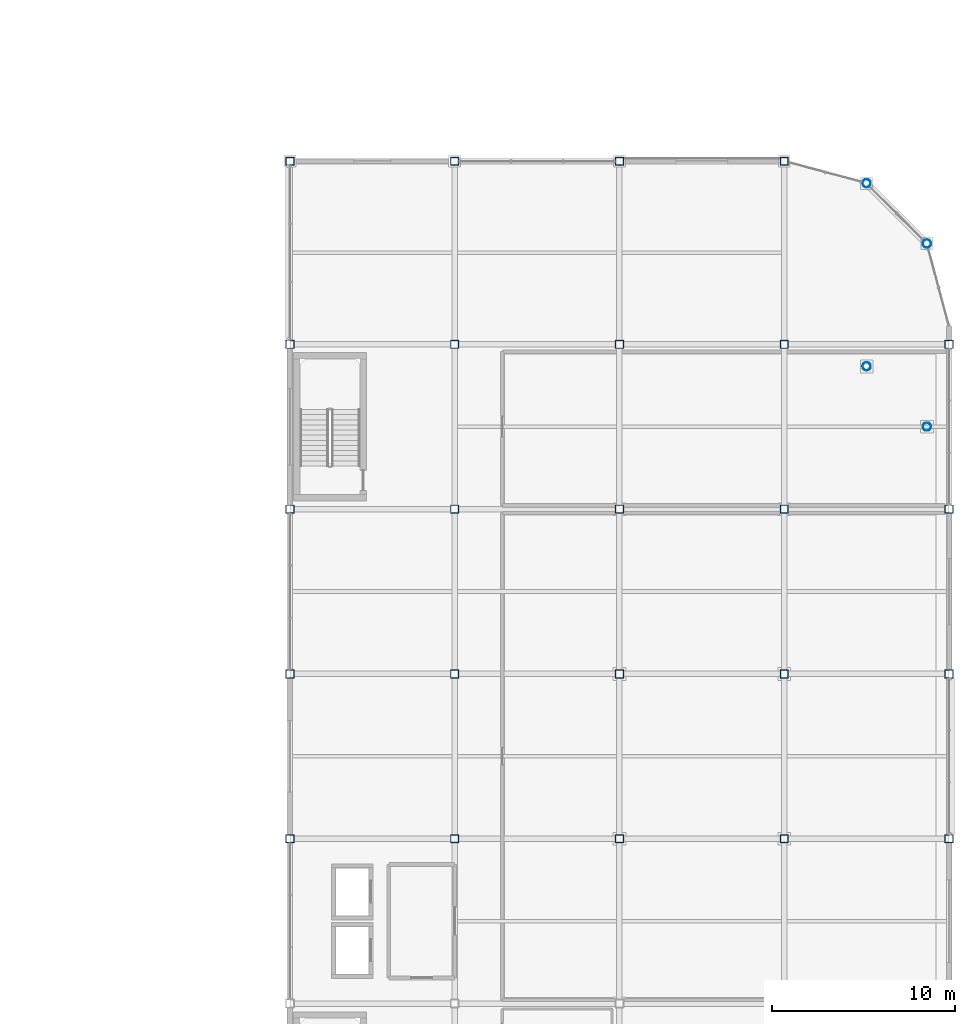
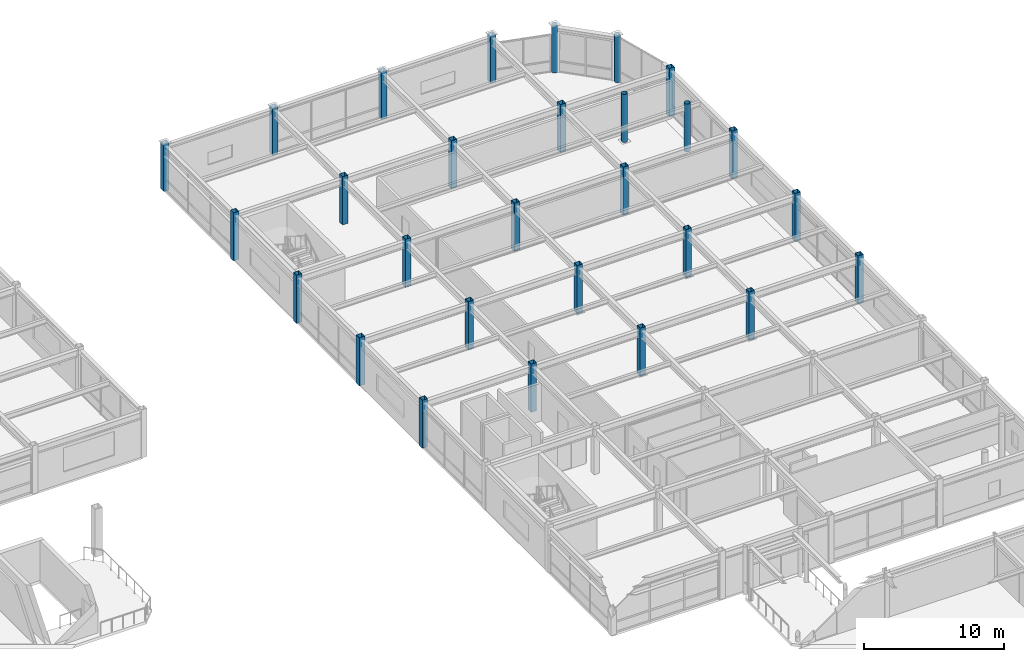
# One storey, part 20 of 105: 28 columns.
"""IFC4 building model written with IfcOpenShell, lengths in metres."""

from ifc_helpers import new_model, si_unit, direction, frame, origin, origin_2d, place, context, subcontext, project, spatial, hollow_rectangle, hollow_circle, extrude, material, material_profile, profile_set, type_object, element, save


model = new_model("IFC4")

# Units and contexts
model_context = context("Model", 3, precision=1e-05, world=origin(), true_north=direction((0.0, 1.0)))
body_context = subcontext(model_context, "Body", "Model", "MODEL_VIEW")
ifc_project = project(units=[si_unit("LENGTHUNIT", "METRE"), si_unit("AREAUNIT", "SQUARE_METRE"), si_unit("VOLUMEUNIT", "CUBIC_METRE"), si_unit("PLANEANGLEUNIT", "RADIAN"), si_unit("MASSUNIT", "GRAM", prefix="KILO")], contexts=[model_context])

# Site, building, storey
site_placement = place(None, origin())
site = spatial("IfcSite", under=ifc_project, at=site_placement, CompositionType="ELEMENT")
building_placement = place(site_placement, origin())
building = spatial("IfcBuilding", under=site, at=building_placement, Name="Suzunagisa Mobility Hub", CompositionType="ELEMENT")
storey_placement = place(building_placement, frame((0.0, 0.0, 5.10009765625)))
storey = spatial("IfcBuildingStorey", under=building, at=storey_placement, Name="L01", CompositionType="ELEMENT", Elevation=5.10009765625)

# Columns
ifc_material = material(Name="Steel SN490B", Category="steel")
ifc_material_profile_1 = material_profile(ifc_material, hollow_circle(Radius=0.228515625, WallThickness=0.01611328125, at=origin_2d()), Name="CHS-457.2x16.0")
ifc_profile_set_1 = profile_set([ifc_material_profile_1], Name="Steel SN490B")
column_type_1 = type_object("IfcColumnType", Name="Steel Column CL-08 CHS-457.2x16.0", PredefinedType="COLUMN", material=ifc_profile_set_1)
column_1_placement = place(storey_placement, frame((175.5, 96.794189453125, 0.0), z_axis=(0.0, 0.0, 1.0), x_axis=(1.0, 0.0, 0.0)))
element("IfcColumn", 1, at=column_1_placement, inside=storey, type_object=column_type_1, Name="L01 Column 313", PredefinedType="COLUMN", context=body_context, shape_type="SweptSolid", body=[
    extrude(hollow_circle(Radius=0.228515625, WallThickness=0.01611328125, at=origin_2d()), origin(), (0.0, 0.0, 1.0), 4.199951171875),
])
column_2_placement = place(storey_placement, frame((175.5, 106.794189453125, 0.0), z_axis=(0.0, 0.0, 1.0), x_axis=(1.0, 0.0, 0.0)))
element("IfcColumn", 2, at=column_2_placement, inside=storey, type_object=column_type_1, Name="L01 Column 314", PredefinedType="COLUMN", context=body_context, shape_type="SweptSolid", body=[
    extrude(hollow_circle(Radius=0.228515625, WallThickness=0.01611328125, at=origin_2d()), origin(), (0.0, 0.0, 1.0), 4.139892578125),
])
column_3_placement = place(storey_placement, frame((178.794189453125, 93.5, 0.0), z_axis=(0.0, 0.0, 1.0), x_axis=(1.0, 0.0, 0.0)))
element("IfcColumn", 3, at=column_3_placement, inside=storey, type_object=column_type_1, Name="L01 Column 319", PredefinedType="COLUMN", context=body_context, shape_type="SweptSolid", body=[
    extrude(hollow_circle(Radius=0.228515625, WallThickness=0.01611328125, at=origin_2d()), origin(), (0.0, 0.0, 1.0), 4.199951171875),
])
column_4_placement = place(storey_placement, frame((178.794189453125, 103.5, 0.0), z_axis=(0.0, 0.0, 1.0), x_axis=(1.0, 0.0, 0.0)))
element("IfcColumn", 4, at=column_4_placement, inside=storey, type_object=column_type_1, Name="L01 Column 320", PredefinedType="COLUMN", context=body_context, shape_type="SweptSolid", body=[
    extrude(hollow_circle(Radius=0.228515625, WallThickness=0.01611328125, at=origin_2d()), origin(), (0.0, 0.0, 1.0), 4.139892578125),
])
ifc_material_profile_2 = material_profile(ifc_material, hollow_rectangle(XDim=0.449951171875, YDim=0.449951171875, WallThickness=0.02197265625, at=origin_2d()), Name="BCR-450x450x22")
ifc_profile_set_2 = profile_set([ifc_material_profile_2], Name="Steel SN490B")
column_type_2 = type_object("IfcColumnType", Name="Steel Column CL-17 BCR-450x450x22", PredefinedType="COLUMN", material=ifc_profile_set_2)
for number, where, z_axis, x_axis, name in (
    (5, (144.0, 71.0, 0.0), (0.0, 0.0, 1.0), (1.0, 0.0, 0.0), "L01 Column 259"),
    (6, (144.0, 80.0, 0.0), (0.0, 0.0, 1.0), (1.0, 0.0, 0.0), "L01 Column 260"),
    (7, (144.0, 89.0, 0.0), (0.0, 0.0, 1.0), (1.0, 0.0, 0.0), "L01 Column 261"),
    (8, (144.0, 98.0, 0.0), (0.0, 0.0, 1.0), (1.0, 0.0, 0.0), "L01 Column 262"),
):
    element("IfcColumn", number, at=place(storey_placement, frame(where, z_axis=z_axis, x_axis=x_axis)), inside=storey, type_object=column_type_2, Name=name, PredefinedType="COLUMN", context=body_context, shape_type="SweptSolid", body=[
        extrude(hollow_rectangle(XDim=0.449951171875, YDim=0.449951171875, WallThickness=0.02197265625, at=origin_2d()), origin(), (0.0, 0.0, 1.0), 4.199951171875),
    ])
column_5_placement = place(storey_placement, frame((144.0, 108.0, 0.0), z_axis=(0.0, 0.0, 1.0), x_axis=(1.0, 0.0, 0.0)))
element("IfcColumn", 9, at=column_5_placement, inside=storey, type_object=column_type_2, Name="L01 Column 263", PredefinedType="COLUMN", context=body_context, shape_type="SweptSolid", body=[
    extrude(hollow_rectangle(XDim=0.449951171875, YDim=0.449951171875, WallThickness=0.02197265625, at=origin_2d()), origin(), (0.0, 0.0, 1.0), 4.139892578125),
])
for number, where, z_axis, x_axis, name in (
    (10, (153.0, 71.0, 0.0), (0.0, 0.0, 1.0), (1.0, 0.0, 0.0), "L01 Column 272"),
    (11, (153.0, 80.0, 0.0), (0.0, 0.0, 1.0), (1.0, 0.0, 0.0), "L01 Column 273"),
    (12, (153.0, 89.0, 0.0), (0.0, 0.0, 1.0), (1.0, 0.0, 0.0), "L01 Column 274"),
    (13, (153.0, 98.0, 0.0), (0.0, 0.0, 1.0), (1.0, 0.0, 0.0), "L01 Column 275"),
):
    element("IfcColumn", number, at=place(storey_placement, frame(where, z_axis=z_axis, x_axis=x_axis)), inside=storey, type_object=column_type_2, Name=name, PredefinedType="COLUMN", context=body_context, shape_type="SweptSolid", body=[
        extrude(hollow_rectangle(XDim=0.449951171875, YDim=0.449951171875, WallThickness=0.02197265625, at=origin_2d()), origin(), (0.0, 0.0, 1.0), 4.199951171875),
    ])
column_6_placement = place(storey_placement, frame((153.0, 108.0, 0.0), z_axis=(0.0, 0.0, 1.0), x_axis=(1.0, 0.0, 0.0)))
element("IfcColumn", 14, at=column_6_placement, inside=storey, type_object=column_type_2, Name="L01 Column 276", PredefinedType="COLUMN", context=body_context, shape_type="SweptSolid", body=[
    extrude(hollow_rectangle(XDim=0.449951171875, YDim=0.449951171875, WallThickness=0.02197265625, at=origin_2d()), origin(), (0.0, 0.0, 1.0), 4.139892578125),
])
for number, where, z_axis, x_axis, name in (
    (15, (162.0, 71.0, 0.0), (0.0, 0.0, 1.0), (1.0, 0.0, 0.0), "L01 Column 291"),
    (16, (162.0, 80.0, 0.0), (0.0, 0.0, 1.0), (1.0, 0.0, 0.0), "L01 Column 292"),
    (17, (162.0, 89.0, 0.0), (0.0, 0.0, 1.0), (1.0, 0.0, 0.0), "L01 Column 293"),
    (18, (162.0, 98.0, 0.0), (0.0, 0.0, 1.0), (1.0, 0.0, 0.0), "L01 Column 294"),
):
    element("IfcColumn", number, at=place(storey_placement, frame(where, z_axis=z_axis, x_axis=x_axis)), inside=storey, type_object=column_type_2, Name=name, PredefinedType="COLUMN", context=body_context, shape_type="SweptSolid", body=[
        extrude(hollow_rectangle(XDim=0.449951171875, YDim=0.449951171875, WallThickness=0.02197265625, at=origin_2d()), origin(), (0.0, 0.0, 1.0), 4.199951171875),
    ])
column_7_placement = place(storey_placement, frame((162.0, 108.0, 0.0), z_axis=(0.0, 0.0, 1.0), x_axis=(1.0, 0.0, 0.0)))
element("IfcColumn", 19, at=column_7_placement, inside=storey, type_object=column_type_2, Name="L01 Column 295", PredefinedType="COLUMN", context=body_context, shape_type="SweptSolid", body=[
    extrude(hollow_rectangle(XDim=0.449951171875, YDim=0.449951171875, WallThickness=0.02197265625, at=origin_2d()), origin(), (0.0, 0.0, 1.0), 4.139892578125),
])
for number, where, z_axis, x_axis, name in (
    (20, (171.0, 71.0, 0.0), (0.0, 0.0, 1.0), (1.0, 0.0, 0.0), "L01 Column 304"),
    (21, (171.0, 80.0, 0.0), (0.0, 0.0, 1.0), (1.0, 0.0, 0.0), "L01 Column 305"),
    (22, (171.0, 89.0, 0.0), (0.0, 0.0, 1.0), (1.0, 0.0, 0.0), "L01 Column 306"),
    (23, (171.0, 98.0, 0.0), (0.0, 0.0, 1.0), (1.0, 0.0, 0.0), "L01 Column 307"),
):
    element("IfcColumn", number, at=place(storey_placement, frame(where, z_axis=z_axis, x_axis=x_axis)), inside=storey, type_object=column_type_2, Name=name, PredefinedType="COLUMN", context=body_context, shape_type="SweptSolid", body=[
        extrude(hollow_rectangle(XDim=0.449951171875, YDim=0.449951171875, WallThickness=0.02197265625, at=origin_2d()), origin(), (0.0, 0.0, 1.0), 4.199951171875),
    ])
column_8_placement = place(storey_placement, frame((171.0, 108.0, 0.0), z_axis=(0.0, 0.0, 1.0), x_axis=(1.0, 0.0, 0.0)))
element("IfcColumn", 24, at=column_8_placement, inside=storey, type_object=column_type_2, Name="L01 Column 308", PredefinedType="COLUMN", context=body_context, shape_type="SweptSolid", body=[
    extrude(hollow_rectangle(XDim=0.449951171875, YDim=0.449951171875, WallThickness=0.02197265625, at=origin_2d()), origin(), (0.0, 0.0, 1.0), 4.139892578125),
])
for number, where, z_axis, x_axis, name in (
    (25, (180.0, 71.0, 0.0), (0.0, 0.0, 1.0), (1.0, 0.0, 0.0), "L01 Column 328"),
    (26, (180.0, 80.0, 0.0), (0.0, 0.0, 1.0), (1.0, 0.0, 0.0), "L01 Column 329"),
    (27, (180.0, 89.0, 0.0), (0.0, 0.0, 1.0), (1.0, 0.0, 0.0), "L01 Column 330"),
    (28, (180.0, 98.0, 0.0), (0.0, 0.0, 1.0), (1.0, 0.0, 0.0), "L01 Column 331"),
):
    element("IfcColumn", number, at=place(storey_placement, frame(where, z_axis=z_axis, x_axis=x_axis)), inside=storey, type_object=column_type_2, Name=name, PredefinedType="COLUMN", context=body_context, shape_type="SweptSolid", body=[
        extrude(hollow_rectangle(XDim=0.449951171875, YDim=0.449951171875, WallThickness=0.02197265625, at=origin_2d()), origin(), (0.0, 0.0, 1.0), 4.199951171875),
    ])

save(model, "model.ifc")
